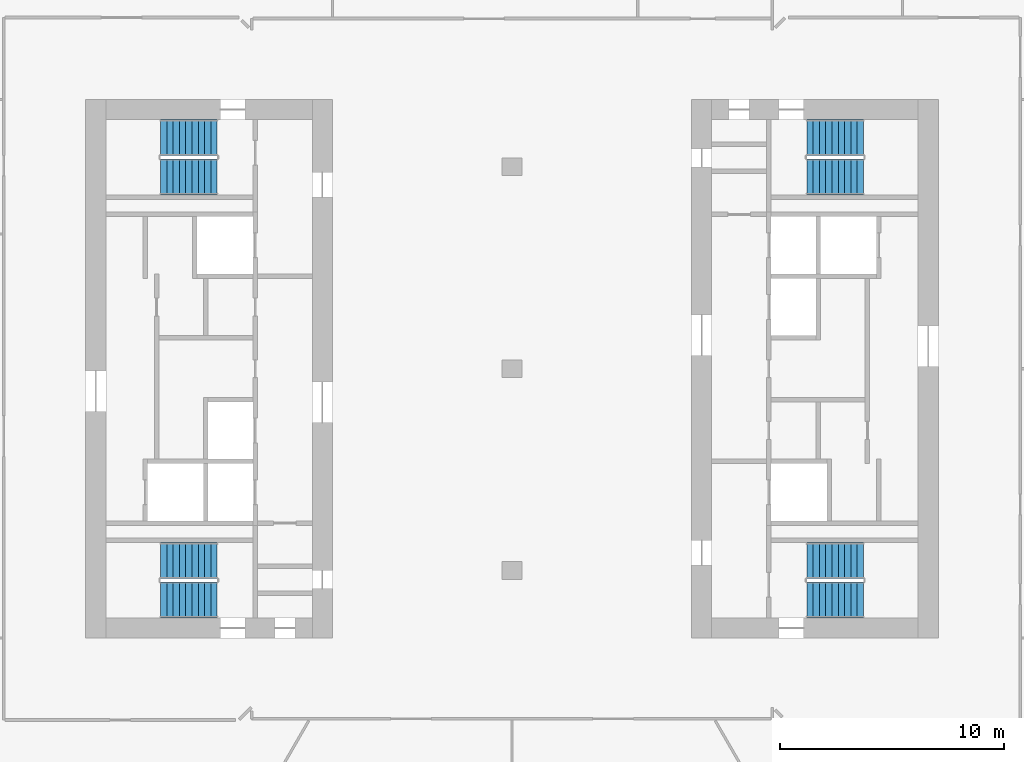
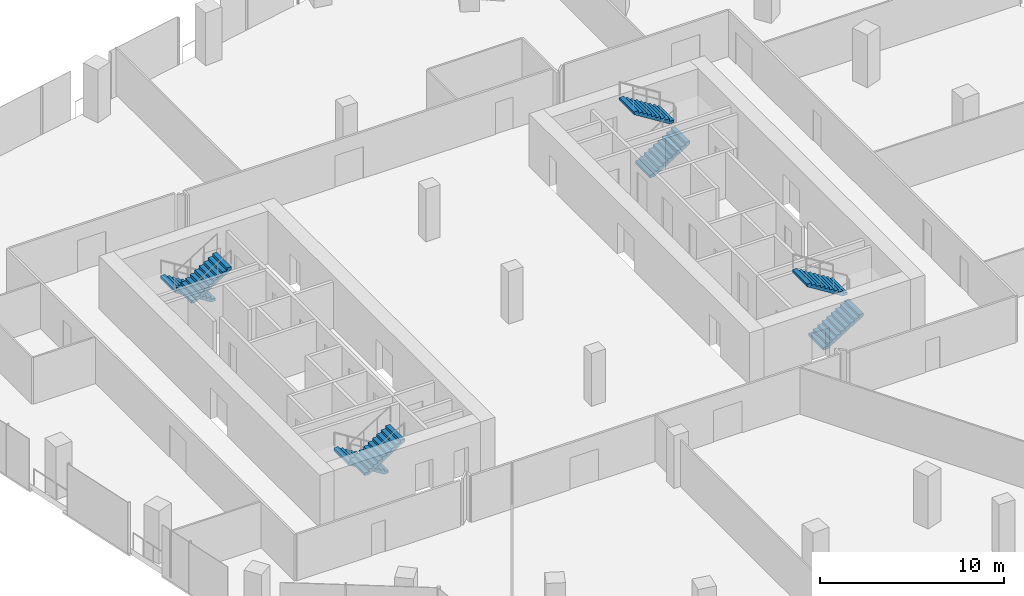
# One storey, part 21 of 26: 8 stair flights, 4 elements without a shape of their own.
"""IFC4 building model written with IfcOpenShell, lengths in metres."""

from ifc_helpers import new_model, si_unit, direction, frame, origin, place, context, subcontext, project, spatial, polyline, outline, extrude, material, type_object, element, aggregate, save


model = new_model("IFC4")

# Units and contexts
model_context = context("Model", 3, precision=1e-05, world=origin(), true_north=direction((0.0, 1.0)))
body_context = subcontext(model_context, "Body", "Model", "MODEL_VIEW")
ifc_project = project(units=[si_unit("LENGTHUNIT", "METRE"), si_unit("AREAUNIT", "SQUARE_METRE"), si_unit("VOLUMEUNIT", "CUBIC_METRE"), si_unit("PLANEANGLEUNIT", "RADIAN"), si_unit("MASSUNIT", "GRAM", prefix="KILO")], contexts=[model_context])

# Site, building, storey
site_placement = place(None, origin())
site = spatial("IfcSite", under=ifc_project, at=site_placement, CompositionType="ELEMENT")
building_placement = place(site_placement, origin())
building = spatial("IfcBuilding", under=site, at=building_placement, Name="Orlundy Tower", CompositionType="ELEMENT")
storey_placement = place(building_placement, frame((0.0, 0.0, 232.0)))
storey = spatial("IfcBuildingStorey", under=building, at=storey_placement, Name="L61", CompositionType="ELEMENT", Elevation=232.0)

# Stair, stair flights
ifc_material_1 = material(Name="Concrete C50/60", Category="concrete")
stair_type = type_object("IfcStairType", Name="Exit Stair 20 risers", PredefinedType="HALF_TURN_STAIR", material=ifc_material_1)
stair_1_placement = place(storey_placement, origin())
stair_1 = element("IfcStair", 1, at=stair_1_placement, inside=storey, type_object=stair_type, Name="L61 Exit Stair ST-W1", PredefinedType="HALF_TURN_STAIR")
ifc_material_2 = material(Name="Concrete C50/60", Category="concrete")
stair_flight_type = type_object("IfcStairFlightType", Name="Stair Flight 10 risers", PredefinedType="STRAIGHT", material=ifc_material_2)
stair_flight_1_placement = place(storey_placement, frame((-13.139892578125, 10.300048828125, 0.0), z_axis=(0.0, 0.0, 1.0), x_axis=(-1.0, 0.0, 0.0)))
stair_flight_1 = element("IfcStairFlight", 2, at=stair_flight_1_placement, type_object=stair_flight_type, Name="ST-W1 flight 1", NumberOfRisers=10, NumberOfTreads=9, PredefinedType="STRAIGHT", RiserHeight=0.175, TreadLength=0.28, context=body_context, shape_type="SweptSolid", body=[
    extrude(outline(polyline([(0.0, 0.0), (0.0, 0.175048828125), (0.280029296875, 0.175048828125), (0.280029296875, 0.35009765625), (0.56005859375, 0.35009765625), (0.56005859375, 0.52490234375), (0.840087890625, 0.52490234375), (0.840087890625, 0.699951171875), (1.1201171875, 0.699951171875), (1.1201171875, 0.875), (1.39990234375, 0.875), (1.39990234375, 1.050048828125), (1.679931640625, 1.050048828125), (1.679931640625, 1.22509765625), (1.9599609375, 1.22509765625), (1.9599609375, 1.39990234375), (2.239990234375, 1.39990234375), (2.239990234375, 1.574951171875), (2.52001953125, 1.574951171875), (2.52001953125, 1.75), (2.52001953125, 1.398193359375), (0.28271484375, 0.0), (0.0, 0.0)])), frame((0.0, 0.800048828125, 0.0), z_axis=(0.0, -1.0, 0.0), x_axis=(1.0, 0.0, 0.0)), (0.0, 0.0, 1.0), 1.60009765625),
])
stair_flight_2_placement = place(storey_placement, frame((-15.659912109375, 8.550048828125, 1.75), z_axis=(0.0, 0.0, 1.0), x_axis=(1.0, 0.0, 0.0)))
stair_flight_2 = element("IfcStairFlight", 3, at=stair_flight_2_placement, type_object=stair_flight_type, Name="ST-W1 flight 2", NumberOfRisers=10, NumberOfTreads=9, PredefinedType="STRAIGHT", RiserHeight=0.175, TreadLength=0.28, context=body_context, shape_type="SweptSolid", body=[
    extrude(outline(polyline([(0.0, 0.0), (0.0, 0.175048828125), (0.280029296875, 0.175048828125), (0.280029296875, 0.35009765625), (0.56005859375, 0.35009765625), (0.56005859375, 0.52490234375), (0.840087890625, 0.52490234375), (0.840087890625, 0.699951171875), (1.1201171875, 0.699951171875), (1.1201171875, 0.875), (1.39990234375, 0.875), (1.39990234375, 1.050048828125), (1.679931640625, 1.050048828125), (1.679931640625, 1.22509765625), (1.9599609375, 1.22509765625), (1.9599609375, 1.39990234375), (2.239990234375, 1.39990234375), (2.239990234375, 1.574951171875), (2.52001953125, 1.574951171875), (2.52001953125, 1.75), (2.52001953125, 1.398193359375), (0.28271484375, 0.0), (0.0, 0.0)])), frame((0.0, 0.800048828125, 0.0), z_axis=(0.0, -1.0, 0.0), x_axis=(1.0, 0.0, 0.0)), (0.0, 0.0, 1.0), 1.60009765625),
])
aggregate(stair_1, [stair_flight_1, stair_flight_2])

stair_2_placement = place(storey_placement, origin())
stair_2 = element("IfcStair", 4, at=stair_2_placement, inside=storey, type_object=stair_type, Name="L61 Exit Stair ST-W2", PredefinedType="HALF_TURN_STAIR")
stair_flight_3_placement = place(storey_placement, frame((-13.139892578125, -8.550048828125, 0.0), z_axis=(0.0, 0.0, 1.0), x_axis=(-1.0, 0.0, 0.0)))
stair_flight_3 = element("IfcStairFlight", 5, at=stair_flight_3_placement, type_object=stair_flight_type, Name="ST-W2 flight 1", NumberOfRisers=10, NumberOfTreads=9, PredefinedType="STRAIGHT", RiserHeight=0.175, TreadLength=0.28, context=body_context, shape_type="SweptSolid", body=[
    extrude(outline(polyline([(0.0, 0.0), (0.0, 0.175048828125), (0.280029296875, 0.175048828125), (0.280029296875, 0.35009765625), (0.56005859375, 0.35009765625), (0.56005859375, 0.52490234375), (0.840087890625, 0.52490234375), (0.840087890625, 0.699951171875), (1.1201171875, 0.699951171875), (1.1201171875, 0.875), (1.39990234375, 0.875), (1.39990234375, 1.050048828125), (1.679931640625, 1.050048828125), (1.679931640625, 1.22509765625), (1.9599609375, 1.22509765625), (1.9599609375, 1.39990234375), (2.239990234375, 1.39990234375), (2.239990234375, 1.574951171875), (2.52001953125, 1.574951171875), (2.52001953125, 1.75), (2.52001953125, 1.398193359375), (0.28271484375, 0.0), (0.0, 0.0)])), frame((0.0, 0.800048828125, 0.0), z_axis=(0.0, -1.0, 0.0), x_axis=(1.0, 0.0, 0.0)), (0.0, 0.0, 1.0), 1.60009765625),
])
stair_flight_4_placement = place(storey_placement, frame((-15.659912109375, -10.300048828125, 1.75), z_axis=(0.0, 0.0, 1.0), x_axis=(1.0, 0.0, 0.0)))
stair_flight_4 = element("IfcStairFlight", 6, at=stair_flight_4_placement, type_object=stair_flight_type, Name="ST-W2 flight 2", NumberOfRisers=10, NumberOfTreads=9, PredefinedType="STRAIGHT", RiserHeight=0.175, TreadLength=0.28, context=body_context, shape_type="SweptSolid", body=[
    extrude(outline(polyline([(0.0, 0.0), (0.0, 0.175048828125), (0.280029296875, 0.175048828125), (0.280029296875, 0.35009765625), (0.56005859375, 0.35009765625), (0.56005859375, 0.52490234375), (0.840087890625, 0.52490234375), (0.840087890625, 0.699951171875), (1.1201171875, 0.699951171875), (1.1201171875, 0.875), (1.39990234375, 0.875), (1.39990234375, 1.050048828125), (1.679931640625, 1.050048828125), (1.679931640625, 1.22509765625), (1.9599609375, 1.22509765625), (1.9599609375, 1.39990234375), (2.239990234375, 1.39990234375), (2.239990234375, 1.574951171875), (2.52001953125, 1.574951171875), (2.52001953125, 1.75), (2.52001953125, 1.398193359375), (0.28271484375, 0.0), (0.0, 0.0)])), frame((0.0, 0.800048828125, 0.0), z_axis=(0.0, -1.0, 0.0), x_axis=(1.0, 0.0, 0.0)), (0.0, 0.0, 1.0), 1.60009765625),
])
aggregate(stair_2, [stair_flight_3, stair_flight_4])

stair_3_placement = place(storey_placement, origin())
stair_3 = element("IfcStair", 7, at=stair_3_placement, inside=storey, type_object=stair_type, Name="L61 Exit Stair ST-E1", PredefinedType="HALF_TURN_STAIR")
stair_flight_5_placement = place(storey_placement, frame((13.139892578125, -10.300048828125, 0.0), z_axis=(0.0, 0.0, 1.0), x_axis=(1.0, 0.0, 0.0)))
stair_flight_5 = element("IfcStairFlight", 8, at=stair_flight_5_placement, type_object=stair_flight_type, Name="ST-E1 flight 1", NumberOfRisers=10, NumberOfTreads=9, PredefinedType="STRAIGHT", RiserHeight=0.175, TreadLength=0.28, context=body_context, shape_type="SweptSolid", body=[
    extrude(outline(polyline([(0.0, 0.0), (0.0, 0.175048828125), (0.280029296875, 0.175048828125), (0.280029296875, 0.35009765625), (0.56005859375, 0.35009765625), (0.56005859375, 0.52490234375), (0.840087890625, 0.52490234375), (0.840087890625, 0.699951171875), (1.1201171875, 0.699951171875), (1.1201171875, 0.875), (1.39990234375, 0.875), (1.39990234375, 1.050048828125), (1.679931640625, 1.050048828125), (1.679931640625, 1.22509765625), (1.9599609375, 1.22509765625), (1.9599609375, 1.39990234375), (2.239990234375, 1.39990234375), (2.239990234375, 1.574951171875), (2.52001953125, 1.574951171875), (2.52001953125, 1.75), (2.52001953125, 1.398193359375), (0.28271484375, 0.0), (0.0, 0.0)])), frame((0.0, 0.800048828125, 0.0), z_axis=(0.0, -1.0, 0.0), x_axis=(1.0, 0.0, 0.0)), (0.0, 0.0, 1.0), 1.60009765625),
])
stair_flight_6_placement = place(storey_placement, frame((15.659912109375, -8.550048828125, 1.75), z_axis=(0.0, 0.0, 1.0), x_axis=(-1.0, 0.0, 0.0)))
stair_flight_6 = element("IfcStairFlight", 9, at=stair_flight_6_placement, type_object=stair_flight_type, Name="ST-E1 flight 2", NumberOfRisers=10, NumberOfTreads=9, PredefinedType="STRAIGHT", RiserHeight=0.175, TreadLength=0.28, context=body_context, shape_type="SweptSolid", body=[
    extrude(outline(polyline([(0.0, 0.0), (0.0, 0.175048828125), (0.280029296875, 0.175048828125), (0.280029296875, 0.35009765625), (0.56005859375, 0.35009765625), (0.56005859375, 0.52490234375), (0.840087890625, 0.52490234375), (0.840087890625, 0.699951171875), (1.1201171875, 0.699951171875), (1.1201171875, 0.875), (1.39990234375, 0.875), (1.39990234375, 1.050048828125), (1.679931640625, 1.050048828125), (1.679931640625, 1.22509765625), (1.9599609375, 1.22509765625), (1.9599609375, 1.39990234375), (2.239990234375, 1.39990234375), (2.239990234375, 1.574951171875), (2.52001953125, 1.574951171875), (2.52001953125, 1.75), (2.52001953125, 1.398193359375), (0.28271484375, 0.0), (0.0, 0.0)])), frame((0.0, 0.800048828125, 0.0), z_axis=(0.0, -1.0, 0.0), x_axis=(1.0, 0.0, 0.0)), (0.0, 0.0, 1.0), 1.60009765625),
])
aggregate(stair_3, [stair_flight_5, stair_flight_6])

stair_4_placement = place(storey_placement, origin())
stair_4 = element("IfcStair", 10, at=stair_4_placement, inside=storey, type_object=stair_type, Name="L61 Exit Stair ST-E2", PredefinedType="HALF_TURN_STAIR")
stair_flight_7_placement = place(storey_placement, frame((13.139892578125, 8.550048828125, 0.0), z_axis=(0.0, 0.0, 1.0), x_axis=(1.0, 0.0, 0.0)))
stair_flight_7 = element("IfcStairFlight", 11, at=stair_flight_7_placement, type_object=stair_flight_type, Name="ST-E2 flight 1", NumberOfRisers=10, NumberOfTreads=9, PredefinedType="STRAIGHT", RiserHeight=0.175, TreadLength=0.28, context=body_context, shape_type="SweptSolid", body=[
    extrude(outline(polyline([(0.0, 0.0), (0.0, 0.175048828125), (0.280029296875, 0.175048828125), (0.280029296875, 0.35009765625), (0.56005859375, 0.35009765625), (0.56005859375, 0.52490234375), (0.840087890625, 0.52490234375), (0.840087890625, 0.699951171875), (1.1201171875, 0.699951171875), (1.1201171875, 0.875), (1.39990234375, 0.875), (1.39990234375, 1.050048828125), (1.679931640625, 1.050048828125), (1.679931640625, 1.22509765625), (1.9599609375, 1.22509765625), (1.9599609375, 1.39990234375), (2.239990234375, 1.39990234375), (2.239990234375, 1.574951171875), (2.52001953125, 1.574951171875), (2.52001953125, 1.75), (2.52001953125, 1.398193359375), (0.28271484375, 0.0), (0.0, 0.0)])), frame((0.0, 0.800048828125, 0.0), z_axis=(0.0, -1.0, 0.0), x_axis=(1.0, 0.0, 0.0)), (0.0, 0.0, 1.0), 1.60009765625),
])
stair_flight_8_placement = place(storey_placement, frame((15.659912109375, 10.300048828125, 1.75), z_axis=(0.0, 0.0, 1.0), x_axis=(-1.0, 0.0, 0.0)))
stair_flight_8 = element("IfcStairFlight", 12, at=stair_flight_8_placement, type_object=stair_flight_type, Name="ST-E2 flight 2", NumberOfRisers=10, NumberOfTreads=9, PredefinedType="STRAIGHT", RiserHeight=0.175, TreadLength=0.28, context=body_context, shape_type="SweptSolid", body=[
    extrude(outline(polyline([(0.0, 0.0), (0.0, 0.175048828125), (0.280029296875, 0.175048828125), (0.280029296875, 0.35009765625), (0.56005859375, 0.35009765625), (0.56005859375, 0.52490234375), (0.840087890625, 0.52490234375), (0.840087890625, 0.699951171875), (1.1201171875, 0.699951171875), (1.1201171875, 0.875), (1.39990234375, 0.875), (1.39990234375, 1.050048828125), (1.679931640625, 1.050048828125), (1.679931640625, 1.22509765625), (1.9599609375, 1.22509765625), (1.9599609375, 1.39990234375), (2.239990234375, 1.39990234375), (2.239990234375, 1.574951171875), (2.52001953125, 1.574951171875), (2.52001953125, 1.75), (2.52001953125, 1.398193359375), (0.28271484375, 0.0), (0.0, 0.0)])), frame((0.0, 0.800048828125, 0.0), z_axis=(0.0, -1.0, 0.0), x_axis=(1.0, 0.0, 0.0)), (0.0, 0.0, 1.0), 1.60009765625),
])
aggregate(stair_4, [stair_flight_7, stair_flight_8])

save(model, "model.ifc")
